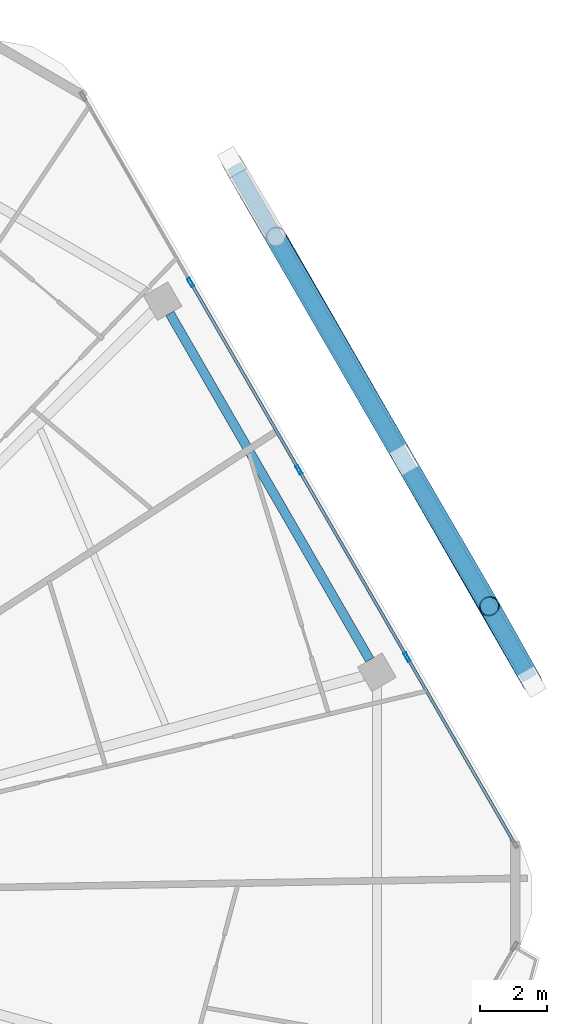
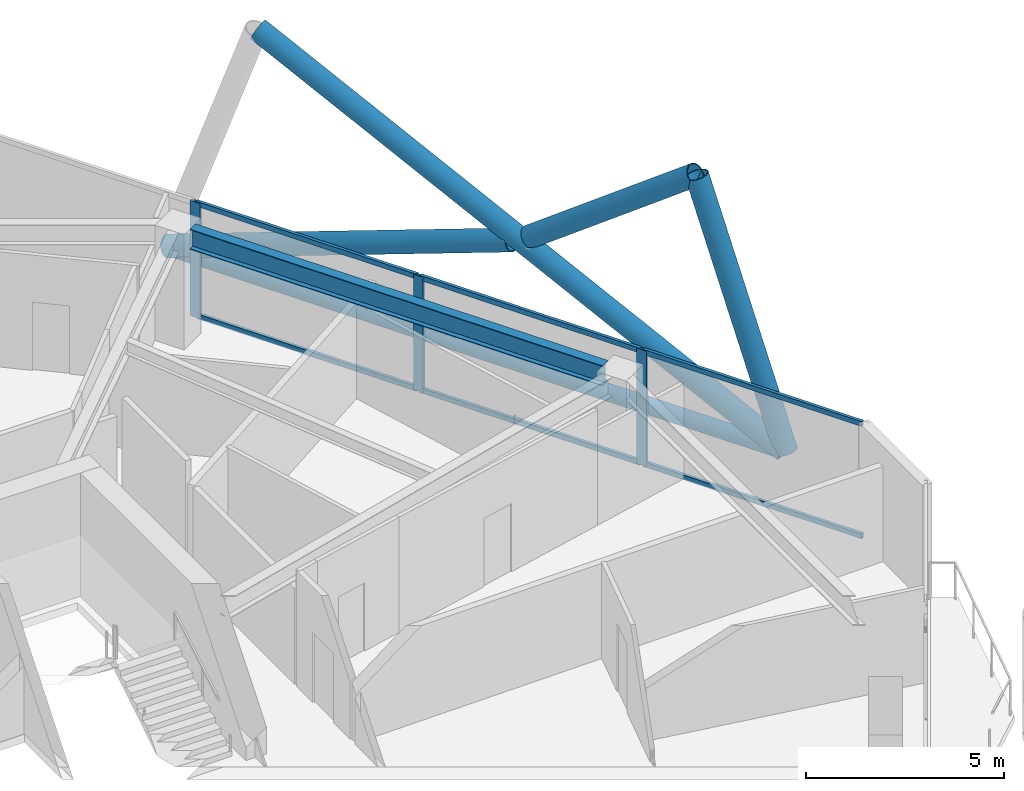
# One storey, part 17 of 29: 14 members, 1 beam, 1 element without a shape of its own.
"""IFC4 building model written with IfcOpenShell, lengths in metres."""

import ifcopenshell
import ifcopenshell.guid

model = None  # the IFC model being written
_history = None  # IfcOwnerHistory: only IFC2X3 demands one
_inside = {}  # id of a spatial element -> (the spatial element, [elements in it])
_under = {}  # id of a project, library or spatial element -> (it, [spatial elements below it])
_declared = {}  # id of a project -> (the project, [libraries it declares])
_typed = {}  # id of a type object -> (the type object, [elements of that type])
_made_of = {}  # id of a material, layer set ... -> (it, [elements and type objects made of it])


def new_model(schema):
    """Start an empty IFC model of exactly this schema.

    Asked for "IFC4X3", IfcOpenShell would pick the latest addendum, in which some entities
    have other attributes; the version numbers below select the first issue.
    IFC2X3 requires an IfcOwnerHistory on every rooted entity: one is made here for all.
    """
    global model, _history
    if schema == "IFC4X3":
        model = ifcopenshell.file(schema_version=(4, 3, 0, 0))
    else:
        model = ifcopenshell.file(schema=schema)
    _inside.clear()
    _under.clear()
    _declared.clear()
    _typed.clear()
    _made_of.clear()
    _history = None
    if model.schema == "IFC2X3":
        org = make("IfcOrganization", Name="unknown")
        user = make(
            "IfcPersonAndOrganization",
            ThePerson=make("IfcPerson", FamilyName="unknown"),
            TheOrganization=org,
        )
        app = make(
            "IfcApplication",
            ApplicationDeveloper=org,
            Version="unknown",
            ApplicationFullName="unknown",
            ApplicationIdentifier="unknown",
        )
        _history = make(
            "IfcOwnerHistory",
            OwningUser=user,
            OwningApplication=app,
            ChangeAction="ADDED",
            CreationDate=0,
        )
    return model


def make(cls, **values):
    """One entity of the class cls with the attributes given. An attribute that is None is left unset."""
    return model.create_entity(
        cls, **{name: value for name, value in values.items() if value is not None}
    )


def rooted(cls, **values):
    """An entity with a GlobalId (a new one), such as an element, a storey or a relation."""
    return make(cls, GlobalId=ifcopenshell.guid.new(), OwnerHistory=_history, **values)


def si_unit(unit_type, name, prefix=None):
    """IfcSIUnit, for example si_unit("LENGTHUNIT", "METRE", prefix="MILLI")."""
    return make("IfcSIUnit", UnitType=unit_type, Prefix=prefix, Name=name)


def assignment(units):
    """IfcUnitAssignment: the units of a project."""
    return None if units is None else make("IfcUnitAssignment", Units=units)


def point(xyz):
    """IfcCartesianPoint."""
    return None if xyz is None else make("IfcCartesianPoint", Coordinates=xyz)


def direction(xyz):
    """IfcDirection."""
    return None if xyz is None else make("IfcDirection", DirectionRatios=xyz)


def frame(location, z_axis=None, x_axis=None):
    """IfcAxis2Placement3D, a coordinate frame: its origin and axes. An axis left out is left unset."""
    return make(
        "IfcAxis2Placement3D",
        Location=point(location),
        Axis=direction(z_axis),
        RefDirection=direction(x_axis),
    )


def frame_2d(location, x_axis=None):
    """IfcAxis2Placement2D, a coordinate frame in the plane: its origin and x axis."""
    return make(
        "IfcAxis2Placement2D", Location=point(location), RefDirection=direction(x_axis)
    )


def origin():
    """The frame at (0, 0, 0) with its axes left unset."""
    return frame((0.0, 0.0, 0.0))


def origin_2d():
    """The frame at (0, 0) in the plane with its x axis left unset."""
    return frame_2d((0.0, 0.0))


def place(relative_to, where):
    """IfcLocalPlacement: puts the frame where relative to a parent placement (None: the world)."""
    return make(
        "IfcLocalPlacement", PlacementRelTo=relative_to, RelativePlacement=where
    )


def context(
    kind, dimensions, precision=None, world=None, true_north=None, identifier=None
):
    """IfcGeometricRepresentationContext, for example the 3D "Model" context."""
    return make(
        "IfcGeometricRepresentationContext",
        ContextIdentifier=identifier,
        ContextType=kind,
        CoordinateSpaceDimension=dimensions,
        Precision=precision,
        WorldCoordinateSystem=world,
        TrueNorth=true_north,
    )


def subcontext(parent, identifier, kind, view, scale=None):
    """IfcGeometricRepresentationSubContext, for example "Body" below "Model"."""
    return make(
        "IfcGeometricRepresentationSubContext",
        ContextIdentifier=identifier,
        ContextType=kind,
        ParentContext=parent,
        TargetScale=scale,
        TargetView=view,
    )


def project(units=None, contexts=None):
    """IfcProject with its units and contexts."""
    return rooted(
        "IfcProject",
        Name="project",
        RepresentationContexts=contexts,
        UnitsInContext=assignment(units),
    )


def spatial(cls, under=None, at=None, **own):
    """A site, building, storey or space (cls), placed at a placement, below another one or the project."""
    s = rooted(cls, ObjectPlacement=at, **own)
    if under is not None:
        _under.setdefault(under.id(), (under, []))[1].append(s)
    return s


def profile(cls, at=None, kind="AREA", **sizes):
    """A parametric profile (cls). Its sizes go by their IFC names, for example OverallWidth=200.0."""
    return make(cls, ProfileType=kind, Position=at, **sizes)


def hollow_rectangle(**sizes):
    """IfcRectangleHollowProfileDef."""
    return profile("IfcRectangleHollowProfileDef", **sizes)


def hollow_circle(**sizes):
    """IfcCircleHollowProfileDef."""
    return profile("IfcCircleHollowProfileDef", **sizes)


def i_section(**sizes):
    """IfcIShapeProfileDef."""
    return profile("IfcIShapeProfileDef", **sizes)


def extrude(swept, where, along, depth):
    """IfcExtrudedAreaSolid: the profile swept, set in the frame where, extruded along a direction by depth."""
    return make(
        "IfcExtrudedAreaSolid",
        SweptArea=swept,
        Position=where,
        ExtrudedDirection=direction(along),
        Depth=depth,
    )


def shape(context_of_items, identifier, shape_type, items):
    """IfcShapeRepresentation: the items that make up one representation, for example the "Body"."""
    return make(
        "IfcShapeRepresentation",
        ContextOfItems=context_of_items,
        RepresentationIdentifier=identifier,
        RepresentationType=shape_type,
        Items=items,
    )


def material(Name=None, Category=None):
    """IfcMaterial."""
    return make("IfcMaterial", Name=Name, Category=Category)


def material_profile(
    of_material, cross_section, Name=None, Category=None, Priority=None
):
    """IfcMaterialProfile: a cross section and its material."""
    return make(
        "IfcMaterialProfile",
        Name=Name,
        Material=of_material,
        Profile=cross_section,
        Priority=Priority,
        Category=Category,
    )


def profile_set(profiles, Name=None, composite=None):
    """IfcMaterialProfileSet."""
    return make(
        "IfcMaterialProfileSet",
        Name=Name,
        MaterialProfiles=profiles,
        CompositeProfile=composite,
    )


def made_of(thing, what):
    """Note that an element or type object is made of a material, layer set ...; save() writes the relation."""
    if what is not None:
        _made_of.setdefault(what.id(), (what, []))[1].append(thing)
    return thing


def type_object(cls, material=None, **own):
    """A type object (cls), such as IfcWallType, which elements share."""
    return made_of(rooted(cls, **own), material)


def element(
    cls,
    number,
    at=None,
    inside=None,
    cuts=None,
    type_object=None,
    material=None,
    context=None,
    identifier="Body",
    shape_type=None,
    held_by="IfcProductDefinitionShape",
    body=None,
    shapes=None,
    **own,
):
    """One element of the class cls, such as IfcWall. Its Tag is "e" and its number.

    at: its placement. inside: the storey or other place that contains it. cuts: it is an
    opening in that element (IfcRelVoidsElement). A single representation is given by context,
    identifier, shape_type and body (its items); several are given by shapes. held_by: the class
    of the entity that holds the representations. save() writes the other relations.
    """
    e = rooted(cls, Tag="e%d" % number, ObjectPlacement=at, **own)
    if body is not None:
        shapes = [shape(context, identifier, shape_type, body)]
    if shapes is not None:
        e.Representation = make(held_by, Representations=shapes)
    if inside is not None:
        _inside.setdefault(inside.id(), (inside, []))[1].append(e)
    if cuts is not None:
        rooted(
            "IfcRelVoidsElement", RelatingBuildingElement=cuts, RelatedOpeningElement=e
        )
    if type_object is not None:
        _typed.setdefault(type_object.id(), (type_object, []))[1].append(e)
    return made_of(e, material)


def aggregate(whole, parts):
    """IfcRelAggregates: a whole, such as a stair, and the parts it consists of."""
    return rooted("IfcRelAggregates", RelatingObject=whole, RelatedObjects=parts)


def save(model, path):
    """Write the relations noted so far, then the file.

    IfcRelAggregates (storeys below a building ...), IfcRelContainedInSpatialStructure (elements
    in a storey), IfcRelDefinesByType, IfcRelAssociatesMaterial and IfcRelDeclares: one each for
    every whole, place, type object, material and project.
    """
    for whole, parts in _under.values():
        aggregate(whole, parts)
    for where, things in _inside.values():
        rooted(
            "IfcRelContainedInSpatialStructure",
            RelatedElements=things,
            RelatingStructure=where,
        )
    for kind, things in _typed.values():
        rooted("IfcRelDefinesByType", RelatedObjects=things, RelatingType=kind)
    for what, things in _made_of.values():
        rooted("IfcRelAssociatesMaterial", RelatedObjects=things, RelatingMaterial=what)
    for by, libraries in _declared.values():
        rooted("IfcRelDeclares", RelatingContext=by, RelatedDefinitions=libraries)
    model.write(path)


model = new_model("IFC4")

# Units and contexts
model_context = context("Model", 3, precision=1e-05, world=origin(), true_north=direction((0.0, 1.0)))
body_context = subcontext(model_context, "Body", "Model", "MODEL_VIEW")
ifc_project = project(units=[si_unit("LENGTHUNIT", "METRE"), si_unit("AREAUNIT", "SQUARE_METRE"), si_unit("VOLUMEUNIT", "CUBIC_METRE"), si_unit("PLANEANGLEUNIT", "RADIAN"), si_unit("MASSUNIT", "GRAM", prefix="KILO")], contexts=[model_context])

# Site, building, storey
site_placement = place(None, origin())
site = spatial("IfcSite", under=ifc_project, at=site_placement, CompositionType="ELEMENT")
building_placement = place(site_placement, origin())
building = spatial("IfcBuilding", under=site, at=building_placement, Name="Zuhravey Tower", CompositionType="ELEMENT")
storey_placement = place(building_placement, frame((0.0, 0.0, 292.0)))
storey = spatial("IfcBuildingStorey", under=building, at=storey_placement, Name="L74", CompositionType="ELEMENT", Elevation=292.0)

# Curtain wall, members
ifc_material_1 = material(Name="Thermally broken anodised aluminium", Category="aluminium")
curtain_wall_type = type_object("IfcCurtainWallType", Name="Zone 3-4 High-Rise Curtain Wall CW4", PredefinedType="NOTDEFINED", material=ifc_material_1)
curtain_wall_placement = place(storey_placement, origin())
curtain_wall = element("IfcCurtainWall", 1, at=curtain_wall_placement, inside=storey, type_object=curtain_wall_type, Name="L74 CW4 CW-L74-F1-1", PredefinedType="NOTDEFINED")
ifc_material_2 = material(Name="Anodised aluminium", Category="aluminium")
ifc_material_profile_1 = material_profile(ifc_material_2, hollow_rectangle(XDim=0.090087890625, YDim=0.284912109375, WallThickness=0.0048828125, at=origin_2d()), Name="ALU-RHS-90x285x5")
ifc_profile_set_1 = profile_set([ifc_material_profile_1], Name="Anodised aluminium")
member_type_1 = type_object("IfcMemberType", Name="Curtain-Wall Mullion 90x180", PredefinedType="MULLION", material=ifc_profile_set_1)
member_1_placement = place(storey_placement, frame((54.885498046875, 50.41650390625, 0.0), z_axis=(0.0, 0.0, 1.0), x_axis=(0.866024851021, 0.500000957414, 0.0)))
member_1 = element("IfcMember", 2, at=member_1_placement, type_object=member_type_1, Name="CW4 mullion 2", PredefinedType="MULLION", context=body_context, shape_type="SweptSolid", body=[
    extrude(hollow_rectangle(XDim=0.090087890625, YDim=0.284912109375, WallThickness=0.0048828125, at=origin_2d()), origin(), (0.0, 0.0, 1.0), 3.550048828125),
])
member_2_placement = place(storey_placement, frame((58.138671875, 44.78173828125, 0.0), z_axis=(0.0, 0.0, 1.0), x_axis=(0.866024851021, 0.500000957414, 0.0)))
member_2 = element("IfcMember", 3, at=member_2_placement, type_object=member_type_1, Name="CW4 mullion 3", PredefinedType="MULLION", context=body_context, shape_type="SweptSolid", body=[
    extrude(hollow_rectangle(XDim=0.090087890625, YDim=0.284912109375, WallThickness=0.0048828125, at=origin_2d()), origin(), (0.0, 0.0, 1.0), 3.550048828125),
])
member_3_placement = place(storey_placement, frame((61.391845703125, 39.147216796875, 0.0), z_axis=(0.0, 0.0, 1.0), x_axis=(0.866024851021, 0.500000957414, 0.0)))
member_3 = element("IfcMember", 4, at=member_3_placement, type_object=member_type_1, Name="CW4 mullion 4", PredefinedType="MULLION", context=body_context, shape_type="SweptSolid", body=[
    extrude(hollow_rectangle(XDim=0.090087890625, YDim=0.284912109375, WallThickness=0.0048828125, at=origin_2d()), origin(), (0.0, 0.0, 1.0), 3.550048828125),
])
ifc_material_profile_2 = material_profile(ifc_material_2, hollow_rectangle(XDim=0.090087890625, YDim=0.14990234375, WallThickness=0.0048828125, at=origin_2d()), Name="ALU-RHS-90x150x5")
ifc_profile_set_2 = profile_set([ifc_material_profile_2], Name="Anodised aluminium")
member_type_2 = type_object("IfcMemberType", Name="Curtain-Wall Transom 90x150", PredefinedType="USERDEFINED", material=ifc_profile_set_2)
member_4_placement = place(storey_placement, frame((54.907958984375, 50.37744140625, 0.044921875), z_axis=(0.500014493347, -0.866017035885, 0.0), x_axis=(0.866017035885, 0.500014493347, 0.0)))
member_4 = element("IfcMember", 5, at=member_4_placement, type_object=member_type_2, Name="CW4 transom 2.1", ObjectType="TRANSOM", PredefinedType="USERDEFINED", context=body_context, shape_type="SweptSolid", body=[
    extrude(hollow_rectangle(XDim=0.090087890625, YDim=0.14990234375, WallThickness=0.0048828125, at=origin_2d()), origin(), (0.0, 0.0, 1.0), 6.416259765625),
])
member_5_placement = place(storey_placement, frame((54.907958984375, 50.37744140625, 3.5048828125), z_axis=(0.500014493347, -0.866017035885, 0.0), x_axis=(0.866017035885, 0.500014493347, 0.0)))
member_5 = element("IfcMember", 6, at=member_5_placement, type_object=member_type_2, Name="CW4 transom 2.2", ObjectType="TRANSOM", PredefinedType="USERDEFINED", context=body_context, shape_type="SweptSolid", body=[
    extrude(hollow_rectangle(XDim=0.090087890625, YDim=0.14990234375, WallThickness=0.0048828125, at=origin_2d()), origin(), (0.0, 0.0, 1.0), 6.416259765625),
])
member_6_placement = place(storey_placement, frame((58.1611328125, 44.742919921875, 0.044921875), z_axis=(0.499998017366, -0.866026548456, 0.0), x_axis=(0.866026548456, 0.499998017366, 0.0)))
member_6 = element("IfcMember", 7, at=member_6_placement, type_object=member_type_2, Name="CW4 transom 3.1", ObjectType="TRANSOM", PredefinedType="USERDEFINED", context=body_context, shape_type="SweptSolid", body=[
    extrude(hollow_rectangle(XDim=0.090087890625, YDim=0.14990234375, WallThickness=0.0048828125, at=origin_2d()), origin(), (0.0, 0.0, 1.0), 6.41650390625),
])
member_7_placement = place(storey_placement, frame((58.1611328125, 44.742919921875, 3.5048828125), z_axis=(0.499998017366, -0.866026548456, 0.0), x_axis=(0.866026548456, 0.499998017366, 0.0)))
member_7 = element("IfcMember", 8, at=member_7_placement, type_object=member_type_2, Name="CW4 transom 3.2", ObjectType="TRANSOM", PredefinedType="USERDEFINED", context=body_context, shape_type="SweptSolid", body=[
    extrude(hollow_rectangle(XDim=0.090087890625, YDim=0.14990234375, WallThickness=0.0048828125, at=origin_2d()), origin(), (0.0, 0.0, 1.0), 6.41650390625),
])
member_8_placement = place(storey_placement, frame((61.414306640625, 39.108154296875, 0.044921875), z_axis=(0.500008810174, -0.866020317169, 0.0), x_axis=(0.866020317169, 0.500008810174, 0.0)))
member_8 = element("IfcMember", 9, at=member_8_placement, type_object=member_type_2, Name="CW4 transom 4.1", ObjectType="TRANSOM", PredefinedType="USERDEFINED", context=body_context, shape_type="SweptSolid", body=[
    extrude(hollow_rectangle(XDim=0.090087890625, YDim=0.14990234375, WallThickness=0.0048828125, at=origin_2d()), origin(), (0.0, 0.0, 1.0), 6.37158203125),
])
member_9_placement = place(storey_placement, frame((61.414306640625, 39.108154296875, 3.5048828125), z_axis=(0.500008810174, -0.866020317169, 0.0), x_axis=(0.866020317169, 0.500008810174, 0.0)))
member_9 = element("IfcMember", 10, at=member_9_placement, type_object=member_type_2, Name="CW4 transom 4.2", ObjectType="TRANSOM", PredefinedType="USERDEFINED", context=body_context, shape_type="SweptSolid", body=[
    extrude(hollow_rectangle(XDim=0.090087890625, YDim=0.14990234375, WallThickness=0.0048828125, at=origin_2d()), origin(), (0.0, 0.0, 1.0), 6.37158203125),
])
aggregate(curtain_wall, [member_1, member_2, member_3, member_4, member_5, member_6, member_7, member_8, member_9])

# Members
ifc_material_3 = material(Name="Steel SM355", Category="steel")
ifc_material_profile_3 = material_profile(ifc_material_3, hollow_circle(Radius=0.228515625, WallThickness=0.02197265625, at=origin_2d()), Name="CHS-457.2x22")
ifc_profile_set_3 = profile_set([ifc_material_profile_3], Name="Steel SM355")
member_type_3 = type_object("IfcMemberType", Name="Exoskeleton Ring Tie CHS457x22", PredefinedType="CHORD", material=ifc_profile_set_3)
member_10_placement = place(storey_placement, frame((65.077392578125, 38.523681640625, -0.464111328125), z_axis=(-0.499995467921, 0.866028020366, 0.0), x_axis=(-0.866028020366, -0.499995467921, 0.0)))
element("IfcMember", 11, at=member_10_placement, inside=storey, type_object=member_type_3, Name="L74 Exoskeleton Face 1 Tie EXR1", PredefinedType="CHORD", context=body_context, shape_type="SweptSolid", body=[
    extrude(hollow_circle(Radius=0.228515625, WallThickness=0.02197265625, at=origin_2d()), origin(), (0.0, 0.0, 1.0), 17.778076171875),
])
ifc_material_profile_4 = material_profile(ifc_material_3, hollow_circle(Radius=0.3046875, WallThickness=0.028076171875, at=origin_2d()), Name="CHS-609.6x28")
ifc_profile_set_4 = profile_set([ifc_material_profile_4], Name="Steel SM355")
member_type_4 = type_object("IfcMemberType", Name="Exoskeleton Zone 3 Diagrid CHS610x28", PredefinedType="BRACE", material=ifc_profile_set_4)
member_11_placement = place(storey_placement, frame((65.144287109375, 38.407958984375, -0.446044921875), z_axis=(-0.159795415744, 0.28422652237, 0.945346872364), x_axis=(-0.871682978645, -0.490070183485, 0.0)))
element("IfcMember", 12, at=member_11_placement, inside=storey, type_object=member_type_4, Name="L74 Face 1 Diagrid Brace 1", PredefinedType="BRACE", context=body_context, shape_type="SweptSolid", body=[
    extrude(hollow_circle(Radius=0.3046875, WallThickness=0.028076171875, at=origin_2d()), origin(), (0.0, 0.0, 1.0), 8.001220703125),
])
member_12_placement = place(storey_placement, frame((65.129150390625, 38.43408203125, -0.446044921875), z_axis=(-0.447071302639, 0.777837631047, 0.441696581472), x_axis=(-0.866995557613, -0.498315866774, 0.0)))
element("IfcMember", 13, at=member_12_placement, inside=storey, type_object=member_type_4, Name="L74 Face 1 Diagrid Brace 2", PredefinedType="BRACE", context=body_context, shape_type="SweptSolid", body=[
    extrude(hollow_circle(Radius=0.3046875, WallThickness=0.028076171875, at=origin_2d()), origin(), (0.0, 0.0, 1.0), 17.124755859375),
])
member_13_placement = place(storey_placement, frame((56.137451171875, 54.008056640625, -0.449951171875), z_axis=(0.470498054709, -0.812181779505, 0.344952659876), x_axis=(0.865293416564, 0.501265701251, 0.0)))
element("IfcMember", 14, at=member_13_placement, inside=storey, type_object=member_type_4, Name="L74 Face 1 Split Diagrid Brace 3A", PredefinedType="BRACE", context=body_context, shape_type="SweptSolid", body=[
    extrude(hollow_circle(Radius=0.3046875, WallThickness=0.028076171875, at=origin_2d()), origin(), (0.0, 0.0, 1.0), 10.679931640625),
])
member_14_placement = place(storey_placement, frame((61.420166015625, 44.889892578125, 3.51220703125), z_axis=(0.402863606544, -0.693142707164, 0.597707371569), x_axis=(0.864575653056, 0.502502676751, 0.0)))
element("IfcMember", 15, at=member_14_placement, inside=storey, type_object=member_type_4, Name="L74 Face 1 Split Diagrid Brace 3B", PredefinedType="BRACE", context=body_context, shape_type="SweptSolid", body=[
    extrude(hollow_circle(Radius=0.3046875, WallThickness=0.028076171875, at=origin_2d()), origin(), (0.0, 0.0, 1.0), 6.02197265625),
])

# Beam
ifc_material_profile_5 = material_profile(ifc_material_3, i_section(OverallWidth=0.280029296875, OverallDepth=0.6201171875, WebThickness=0.011962890625, FlangeThickness=0.02001953125, at=origin_2d()), Name="H-620x280x12x20")
ifc_profile_set_5 = profile_set([ifc_material_profile_5], Name="Steel SM355")
beam_type = type_object("IfcBeamType", Name="Perimeter Ring Beam H620x280", PredefinedType="BEAM", material=ifc_profile_set_5)
beam_placement = place(storey_placement, frame((60.2705078125, 39.069580078125, 3.239990234375), z_axis=(-0.500005971936, 0.866021955858, 0.0), x_axis=(-0.866021955858, -0.500005971936, 0.0)))
element("IfcBeam", 16, at=beam_placement, inside=storey, type_object=beam_type, Name="L74 PB3 BM-L74-PB-01", PredefinedType="BEAM", context=body_context, shape_type="SweptSolid", body=[
    extrude(i_section(OverallWidth=0.280029296875, OverallDepth=0.6201171875, WebThickness=0.011962890625, FlangeThickness=0.02001953125, at=origin_2d()), origin(), (0.0, 0.0, 1.0), 12.025634765625),
])

save(model, "model.ifc")
